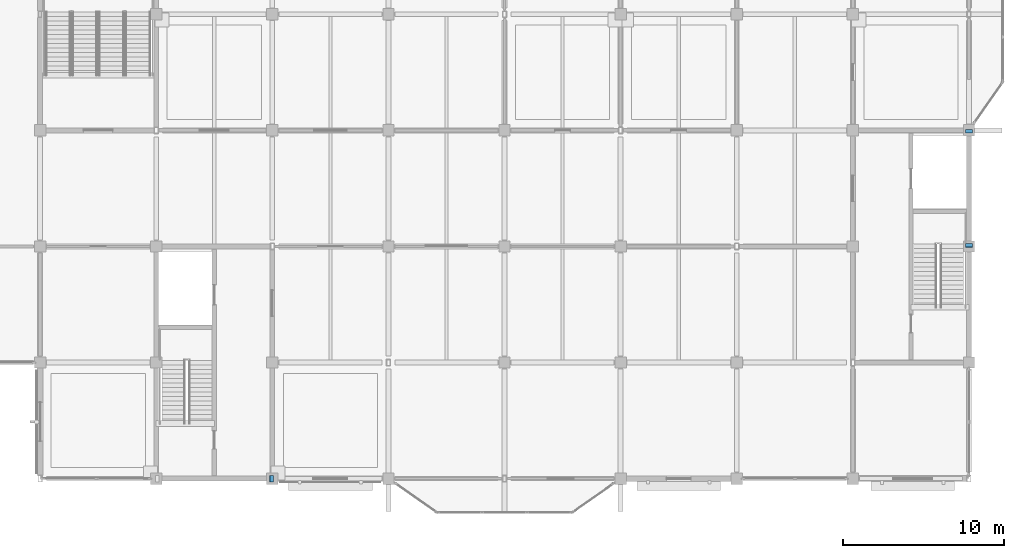
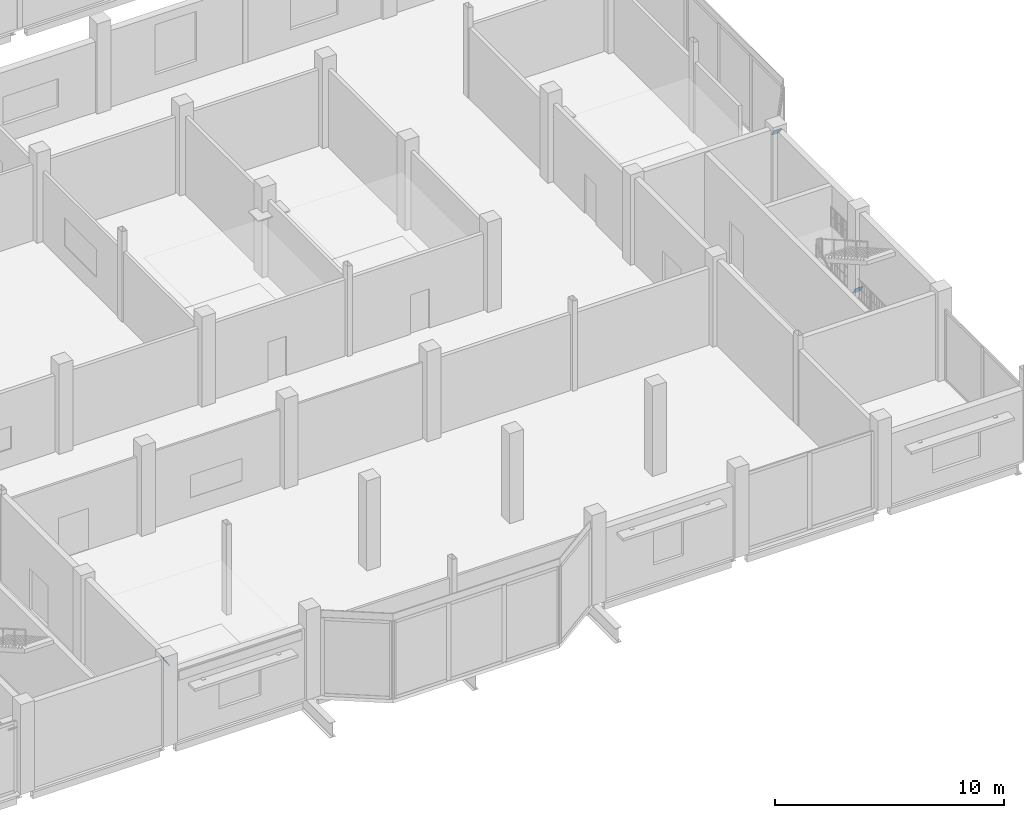
# One storey, part 90 of 120: 3 plates.
"""IFC4 building model written with IfcOpenShell, lengths in metres."""

from ifc_helpers import new_model, si_unit, direction, frame, origin, origin_2d, place, context, subcontext, project, spatial, rectangle, extrude, material, layer, layer_set, type_object, element, save


model = new_model("IFC4")

# Units and contexts
model_context = context("Model", 3, precision=1e-05, world=origin(), true_north=direction((0.0, 1.0)))
body_context = subcontext(model_context, "Body", "Model", "MODEL_VIEW")
ifc_project = project(units=[si_unit("LENGTHUNIT", "METRE"), si_unit("AREAUNIT", "SQUARE_METRE"), si_unit("VOLUMEUNIT", "CUBIC_METRE"), si_unit("PLANEANGLEUNIT", "RADIAN"), si_unit("MASSUNIT", "GRAM", prefix="KILO")], contexts=[model_context])

# Site, building, storey
site_placement = place(None, origin())
site = spatial("IfcSite", under=ifc_project, at=site_placement, CompositionType="ELEMENT")
building_placement = place(site_placement, origin())
building = spatial("IfcBuilding", under=site, at=building_placement, Name="Vesperath Aquatics Centre", CompositionType="ELEMENT")
storey_placement = place(building_placement, frame((0.0, 0.0, 10.199951171875)))
storey = spatial("IfcBuildingStorey", under=building, at=storey_placement, Name="L02", CompositionType="ELEMENT", Elevation=10.199951171875)

# Plates
ifc_material = material(Name="Steel Q355D", Category="steel")
ifc_layer = layer(ifc_material, 0.02392578125)
ifc_layer_set = layer_set([ifc_layer], Name="Steel Q355D")
plate_type = type_object("IfcPlateType", Name="PT-TN04", PredefinedType="SHEET", material=ifc_layer_set)
for number, where, z_axis, x_axis, name in (
    (1, (129.531005859375, 0.0, 4.3095703125), (0.863778900717, 0.0, 0.503871025835), (0.0, 1.0, 0.0), "Truss Node Cap Plate TN04"),
    (2, (172.800048828125, 14.448486328125, 0.17822265625), (0.0, 0.863778900717, 0.503871025835), (-1.0, 0.0, 0.0), "Truss Node Cap Plate TN04"),
    (3, (172.800048828125, 21.531005859375, 4.3095703125), (0.0, 0.863778900717, 0.503871025835), (-1.0, 0.0, 0.0), "Truss Node Cap Plate TN04"),
):
    element("IfcPlate", number, at=place(storey_placement, frame(where, z_axis=z_axis, x_axis=x_axis)), inside=storey, type_object=plate_type, Name=name, PredefinedType="SHEET", context=body_context, shape_type="SweptSolid", body=[
        extrude(rectangle(XDim=0.419921875, YDim=0.419921875, at=origin_2d()), origin(), (0.0, 0.0, 1.0), 0.02392578125),
    ])

save(model, "model.ifc")
